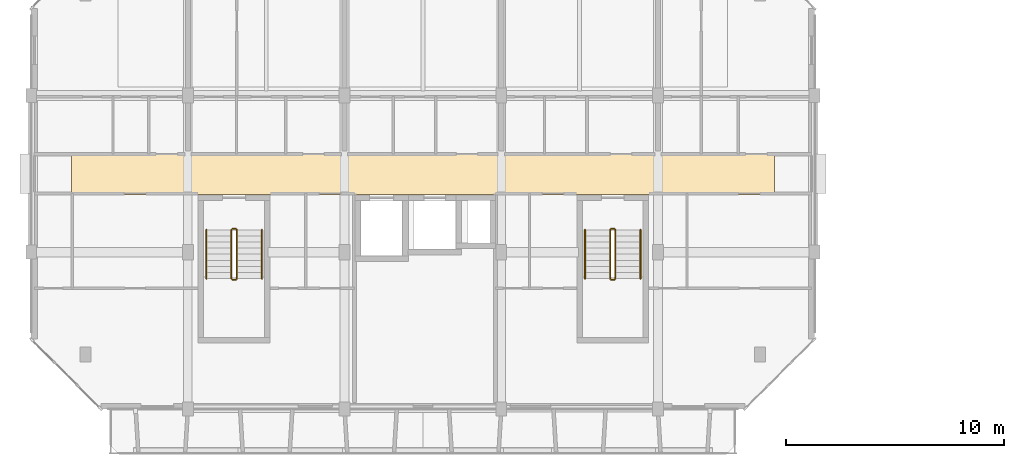
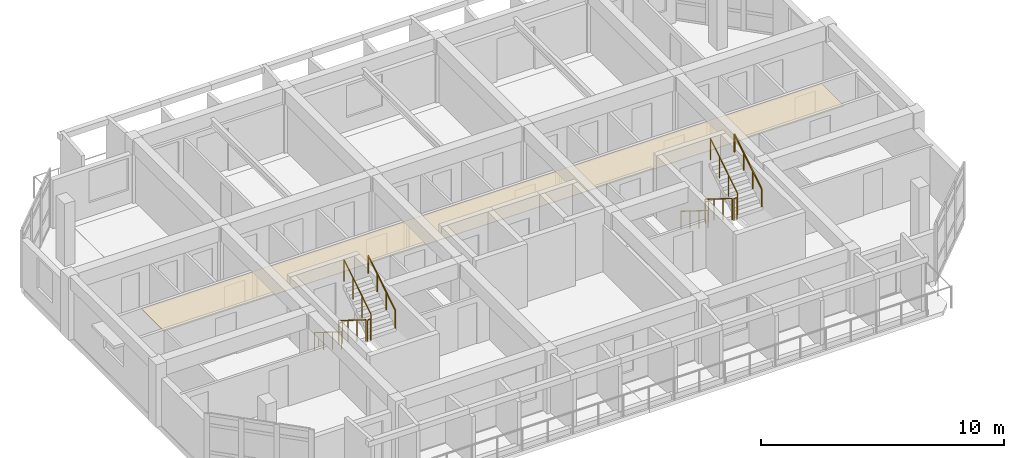
# One storey, part 37 of 43: 12 railings, 1 covering.
"""IFC4 building model written with IfcOpenShell, lengths in metres."""

from ifc_helpers import new_model, si_unit, direction, frame, origin, origin_2d, place, context, subcontext, project, spatial, polyline, circle, outline, extrude, material, layer, layer_set, type_object, element, save


model = new_model("IFC4")

# Units and contexts
model_context = context("Model", 3, precision=1e-05, world=origin(), true_north=direction((0.0, 1.0)))
body_context = subcontext(model_context, "Body", "Model", "MODEL_VIEW")
ifc_project = project(units=[si_unit("LENGTHUNIT", "METRE"), si_unit("AREAUNIT", "SQUARE_METRE"), si_unit("VOLUMEUNIT", "CUBIC_METRE"), si_unit("PLANEANGLEUNIT", "RADIAN"), si_unit("MASSUNIT", "GRAM", prefix="KILO")], contexts=[model_context])

# Site, building, storey
site_placement = place(None, origin())
site = spatial("IfcSite", under=ifc_project, at=site_placement, CompositionType="ELEMENT")
building_placement = place(site_placement, origin())
building = spatial("IfcBuilding", under=site, at=building_placement, Name="Ochrevale Crest", CompositionType="ELEMENT")
storey_placement = place(building_placement, frame((0.0, 0.0, 15.0)))
storey = spatial("IfcBuildingStorey", under=building, at=storey_placement, Name="L04", CompositionType="ELEMENT", Elevation=15.0)

# Covering
ifc_material_1 = material(Name="Gypsum plasterboard", Category="gypsum")
ifc_layer = layer(ifc_material_1, 0.02490234375)
ifc_layer_set = layer_set([ifc_layer], Name="Gypsum plasterboard")
covering_type = type_object("IfcCoveringType", Name="COV-CEIL-GYP", PredefinedType="CEILING", material=ifc_layer_set)
covering_placement = place(storey_placement, frame((0.0, 0.0, 2.280029296875)))
element("IfcCovering", 1, at=covering_placement, inside=storey, type_object=covering_type, Name="Block B L04 acoustic corridor ceiling", PredefinedType="CEILING", context=body_context, shape_type="SweptSolid", body=[
    extrude(outline(polyline([(1.85009765625, 81.860107421875), (34.14990234375, 81.860107421875), (34.14990234375, 83.739990234375), (1.85009765625, 83.739990234375), (1.85009765625, 81.860107421875)])), origin(), (0.0, 0.0, 1.0), 0.02490234375),
])

# Railings
ifc_material_2 = material(Name="Galvanised steel", Category="steel")
railing_type_1 = type_object("IfcRailingType", Name="RL-ST-GUARD", PredefinedType="BALUSTRADE", material=ifc_material_2)
railing_1_placement = place(storey_placement, frame((9.199951171875, 80.22509765625, 0.175048828125)))
element("IfcRailing", 2, at=railing_1_placement, inside=storey, type_object=railing_type_1, Name="L04 ST-B1 stair guard 1", PredefinedType="BALUSTRADE", context=body_context, shape_type="SweptSolid", body=[
    extrude(circle(Radius=0.02392578125, at=origin_2d()), frame((0.0, 0.0, 1.076171875), z_axis=(0.0, -0.848013881152, 0.529974015752), x_axis=(1.0, 0.0, 0.0)), (0.0, 0.0, 1.0), 2.641357421875),
    extrude(circle(Radius=0.02099609375, at=origin_2d()), origin(), (0.0, 0.0, 1.0), 1.052001953125),
    extrude(circle(Radius=0.02099609375, at=origin_2d()), frame((0.0, -0.74658203125, 0.466552734375)), (0.0, 0.0, 1.0), 1.052001953125),
    extrude(circle(Radius=0.02099609375, at=origin_2d()), frame((0.0, -1.493408203125, 0.933349609375)), (0.0, 0.0, 1.0), 1.052001953125),
    extrude(circle(Radius=0.02099609375, at=origin_2d()), frame((0.0, -2.239990234375, 1.39990234375)), (0.0, 0.0, 1.0), 1.052001953125),
])
railing_2_placement = place(storey_placement, frame((9.25, 77.93505859375, 1.574951171875)))
element("IfcRailing", 3, at=railing_2_placement, inside=storey, type_object=railing_type_1, Name="L04 ST-B1 stair guard 2", PredefinedType="BALUSTRADE", context=body_context, shape_type="SweptSolid", body=[
    extrude(circle(Radius=0.02392578125, at=origin_2d()), frame((0.0, 0.0, 1.076171875), z_axis=(1.0, 0.0, 0.0), x_axis=(0.0, 1.0, 0.0)), (0.0, 0.0, 1.0), 0.14990234375),
    extrude(circle(Radius=0.02099609375, at=origin_2d()), origin(), (0.0, 0.0, 1.0), 1.052001953125),
    extrude(circle(Radius=0.02099609375, at=origin_2d()), frame((0.14990234375, 0.0, 0.0)), (0.0, 0.0, 1.0), 1.052001953125),
])
railing_3_placement = place(storey_placement, frame((9.449951171875, 77.985107421875, 1.75)))
element("IfcRailing", 4, at=railing_3_placement, inside=storey, type_object=railing_type_1, Name="L04 ST-B1 stair guard 3", PredefinedType="BALUSTRADE", context=body_context, shape_type="SweptSolid", body=[
    extrude(circle(Radius=0.02392578125, at=origin_2d()), frame((0.0, 0.0, 1.076171875), z_axis=(0.0, 0.848013881152, 0.529974015752), x_axis=(-1.0, 0.0, 0.0)), (0.0, 0.0, 1.0), 2.641357421875),
    extrude(circle(Radius=0.02099609375, at=origin_2d()), origin(), (0.0, 0.0, 1.0), 1.052001953125),
    extrude(circle(Radius=0.02099609375, at=origin_2d()), frame((0.0, 0.74658203125, 0.466552734375)), (0.0, 0.0, 1.0), 1.052001953125),
    extrude(circle(Radius=0.02099609375, at=origin_2d()), frame((0.0, 1.493408203125, 0.933349609375)), (0.0, 0.0, 1.0), 1.052001953125),
    extrude(circle(Radius=0.02099609375, at=origin_2d()), frame((0.0, 2.239990234375, 1.39990234375)), (0.0, 0.0, 1.0), 1.052001953125),
])
railing_4_placement = place(storey_placement, frame((9.25, 80.27490234375, 0.0)))
element("IfcRailing", 5, at=railing_4_placement, inside=storey, type_object=railing_type_1, Name="L04 ST-B1 stair guard 4", PredefinedType="BALUSTRADE", context=body_context, shape_type="SweptSolid", body=[
    extrude(circle(Radius=0.02392578125, at=origin_2d()), frame((0.0, 0.0, 1.076171875), z_axis=(1.0, 0.0, 0.0), x_axis=(0.0, 1.0, 0.0)), (0.0, 0.0, 1.0), 0.14990234375),
    extrude(circle(Radius=0.02099609375, at=origin_2d()), origin(), (0.0, 0.0, 1.0), 1.052001953125),
    extrude(circle(Radius=0.02099609375, at=origin_2d()), frame((0.14990234375, 0.0, 0.0)), (0.0, 0.0, 1.0), 1.052001953125),
])
railing_5_placement = place(storey_placement, frame((26.60009765625, 80.22509765625, 0.175048828125)))
element("IfcRailing", 6, at=railing_5_placement, inside=storey, type_object=railing_type_1, Name="L04 ST-B2 stair guard 1", PredefinedType="BALUSTRADE", context=body_context, shape_type="SweptSolid", body=[
    extrude(circle(Radius=0.02392578125, at=origin_2d()), frame((0.0, 0.0, 1.076171875), z_axis=(0.0, -0.848013881152, 0.529974015752), x_axis=(1.0, 0.0, 0.0)), (0.0, 0.0, 1.0), 2.641357421875),
    extrude(circle(Radius=0.02099609375, at=origin_2d()), origin(), (0.0, 0.0, 1.0), 1.052001953125),
    extrude(circle(Radius=0.02099609375, at=origin_2d()), frame((0.0, -0.74658203125, 0.466552734375)), (0.0, 0.0, 1.0), 1.052001953125),
    extrude(circle(Radius=0.02099609375, at=origin_2d()), frame((0.0, -1.493408203125, 0.933349609375)), (0.0, 0.0, 1.0), 1.052001953125),
    extrude(circle(Radius=0.02099609375, at=origin_2d()), frame((0.0, -2.239990234375, 1.39990234375)), (0.0, 0.0, 1.0), 1.052001953125),
])
railing_6_placement = place(storey_placement, frame((26.64990234375, 77.93505859375, 1.574951171875)))
element("IfcRailing", 7, at=railing_6_placement, inside=storey, type_object=railing_type_1, Name="L04 ST-B2 stair guard 2", PredefinedType="BALUSTRADE", context=body_context, shape_type="SweptSolid", body=[
    extrude(circle(Radius=0.02392578125, at=origin_2d()), frame((0.0, 0.0, 1.076171875), z_axis=(1.0, 0.0, 0.0), x_axis=(0.0, 1.0, 0.0)), (0.0, 0.0, 1.0), 0.150146484375),
    extrude(circle(Radius=0.02099609375, at=origin_2d()), origin(), (0.0, 0.0, 1.0), 1.052001953125),
    extrude(circle(Radius=0.02099609375, at=origin_2d()), frame((0.150146484375, 0.0, 0.0)), (0.0, 0.0, 1.0), 1.052001953125),
])
railing_7_placement = place(storey_placement, frame((26.85009765625, 77.985107421875, 1.75)))
element("IfcRailing", 8, at=railing_7_placement, inside=storey, type_object=railing_type_1, Name="L04 ST-B2 stair guard 3", PredefinedType="BALUSTRADE", context=body_context, shape_type="SweptSolid", body=[
    extrude(circle(Radius=0.02392578125, at=origin_2d()), frame((0.0, 0.0, 1.076171875), z_axis=(0.0, 0.848013881152, 0.529974015752), x_axis=(-1.0, 0.0, 0.0)), (0.0, 0.0, 1.0), 2.641357421875),
    extrude(circle(Radius=0.02099609375, at=origin_2d()), origin(), (0.0, 0.0, 1.0), 1.052001953125),
    extrude(circle(Radius=0.02099609375, at=origin_2d()), frame((0.0, 0.74658203125, 0.466552734375)), (0.0, 0.0, 1.0), 1.052001953125),
    extrude(circle(Radius=0.02099609375, at=origin_2d()), frame((0.0, 1.493408203125, 0.933349609375)), (0.0, 0.0, 1.0), 1.052001953125),
    extrude(circle(Radius=0.02099609375, at=origin_2d()), frame((0.0, 2.239990234375, 1.39990234375)), (0.0, 0.0, 1.0), 1.052001953125),
])
railing_8_placement = place(storey_placement, frame((26.64990234375, 80.27490234375, 0.0)))
element("IfcRailing", 9, at=railing_8_placement, inside=storey, type_object=railing_type_1, Name="L04 ST-B2 stair guard 4", PredefinedType="BALUSTRADE", context=body_context, shape_type="SweptSolid", body=[
    extrude(circle(Radius=0.02392578125, at=origin_2d()), frame((0.0, 0.0, 1.076171875), z_axis=(1.0, 0.0, 0.0), x_axis=(0.0, 1.0, 0.0)), (0.0, 0.0, 1.0), 0.150146484375),
    extrude(circle(Radius=0.02099609375, at=origin_2d()), origin(), (0.0, 0.0, 1.0), 1.052001953125),
    extrude(circle(Radius=0.02099609375, at=origin_2d()), frame((0.150146484375, 0.0, 0.0)), (0.0, 0.0, 1.0), 1.052001953125),
])
ifc_material_3 = material(Name="Stainless steel", Category="steel")
railing_type_2 = type_object("IfcRailingType", Name="RL-ST-HRAIL", PredefinedType="HANDRAIL", material=ifc_material_3)
railing_9_placement = place(storey_placement, frame((8.050048828125, 80.22509765625, 0.175048828125)))
element("IfcRailing", 10, at=railing_9_placement, inside=storey, type_object=railing_type_2, Name="L04 ST-B1 stair handrail 1", PredefinedType="HANDRAIL", context=body_context, shape_type="SweptSolid", body=[
    extrude(circle(Radius=0.02392578125, at=origin_2d()), frame((0.0, 0.0, 0.8759765625), z_axis=(0.0, -0.848013881152, 0.529974015752), x_axis=(1.0, 0.0, 0.0)), (0.0, 0.0, 1.0), 2.641357421875),
    extrude(circle(Radius=0.02099609375, at=origin_2d()), origin(), (0.0, 0.0, 1.0), 0.851806640625),
    extrude(circle(Radius=0.02099609375, at=origin_2d()), frame((0.0, -0.74658203125, 0.466552734375)), (0.0, 0.0, 1.0), 0.851806640625),
    extrude(circle(Radius=0.02099609375, at=origin_2d()), frame((0.0, -1.493408203125, 0.933349609375)), (0.0, 0.0, 1.0), 0.851806640625),
    extrude(circle(Radius=0.02099609375, at=origin_2d()), frame((0.0, -2.239990234375, 1.39990234375)), (0.0, 0.0, 1.0), 0.851806640625),
])
railing_10_placement = place(storey_placement, frame((10.60009765625, 77.985107421875, 1.75)))
element("IfcRailing", 11, at=railing_10_placement, inside=storey, type_object=railing_type_2, Name="L04 ST-B1 stair handrail 2", PredefinedType="HANDRAIL", context=body_context, shape_type="SweptSolid", body=[
    extrude(circle(Radius=0.02392578125, at=origin_2d()), frame((0.0, 0.0, 0.8759765625), z_axis=(0.0, 0.848013881152, 0.529974015752), x_axis=(-1.0, 0.0, 0.0)), (0.0, 0.0, 1.0), 2.641357421875),
    extrude(circle(Radius=0.02099609375, at=origin_2d()), origin(), (0.0, 0.0, 1.0), 0.851806640625),
    extrude(circle(Radius=0.02099609375, at=origin_2d()), frame((0.0, 0.74658203125, 0.466552734375)), (0.0, 0.0, 1.0), 0.851806640625),
    extrude(circle(Radius=0.02099609375, at=origin_2d()), frame((0.0, 1.493408203125, 0.933349609375)), (0.0, 0.0, 1.0), 0.851806640625),
    extrude(circle(Radius=0.02099609375, at=origin_2d()), frame((0.0, 2.239990234375, 1.39990234375)), (0.0, 0.0, 1.0), 0.851806640625),
])
railing_11_placement = place(storey_placement, frame((25.449951171875, 80.22509765625, 0.175048828125)))
element("IfcRailing", 12, at=railing_11_placement, inside=storey, type_object=railing_type_2, Name="L04 ST-B2 stair handrail 1", PredefinedType="HANDRAIL", context=body_context, shape_type="SweptSolid", body=[
    extrude(circle(Radius=0.02392578125, at=origin_2d()), frame((0.0, 0.0, 0.8759765625), z_axis=(0.0, -0.848013881152, 0.529974015752), x_axis=(1.0, 0.0, 0.0)), (0.0, 0.0, 1.0), 2.641357421875),
    extrude(circle(Radius=0.02099609375, at=origin_2d()), origin(), (0.0, 0.0, 1.0), 0.851806640625),
    extrude(circle(Radius=0.02099609375, at=origin_2d()), frame((0.0, -0.74658203125, 0.466552734375)), (0.0, 0.0, 1.0), 0.851806640625),
    extrude(circle(Radius=0.02099609375, at=origin_2d()), frame((0.0, -1.493408203125, 0.933349609375)), (0.0, 0.0, 1.0), 0.851806640625),
    extrude(circle(Radius=0.02099609375, at=origin_2d()), frame((0.0, -2.239990234375, 1.39990234375)), (0.0, 0.0, 1.0), 0.851806640625),
])
railing_12_placement = place(storey_placement, frame((28.0, 77.985107421875, 1.75)))
element("IfcRailing", 13, at=railing_12_placement, inside=storey, type_object=railing_type_2, Name="L04 ST-B2 stair handrail 2", PredefinedType="HANDRAIL", context=body_context, shape_type="SweptSolid", body=[
    extrude(circle(Radius=0.02392578125, at=origin_2d()), frame((0.0, 0.0, 0.8759765625), z_axis=(0.0, 0.848013881152, 0.529974015752), x_axis=(-1.0, 0.0, 0.0)), (0.0, 0.0, 1.0), 2.641357421875),
    extrude(circle(Radius=0.02099609375, at=origin_2d()), origin(), (0.0, 0.0, 1.0), 0.851806640625),
    extrude(circle(Radius=0.02099609375, at=origin_2d()), frame((0.0, 0.74658203125, 0.466552734375)), (0.0, 0.0, 1.0), 0.851806640625),
    extrude(circle(Radius=0.02099609375, at=origin_2d()), frame((0.0, 1.493408203125, 0.933349609375)), (0.0, 0.0, 1.0), 0.851806640625),
    extrude(circle(Radius=0.02099609375, at=origin_2d()), frame((0.0, 2.239990234375, 1.39990234375)), (0.0, 0.0, 1.0), 0.851806640625),
])

save(model, "model.ifc")
